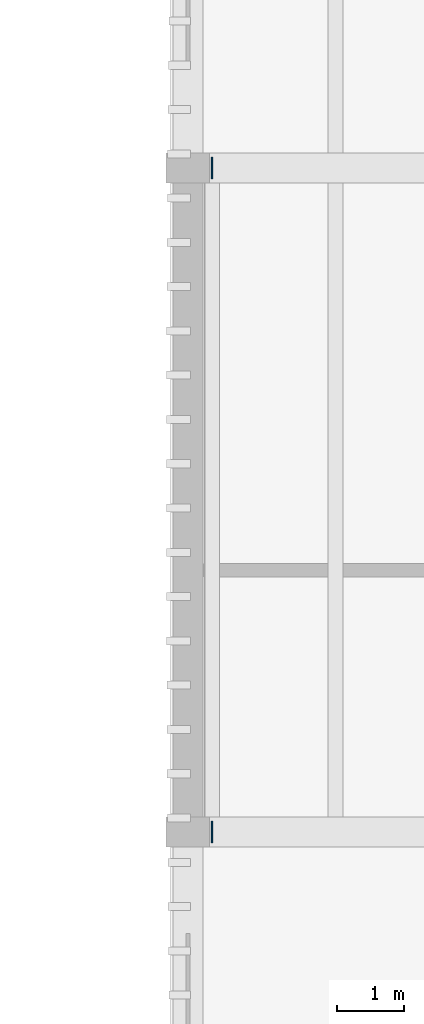
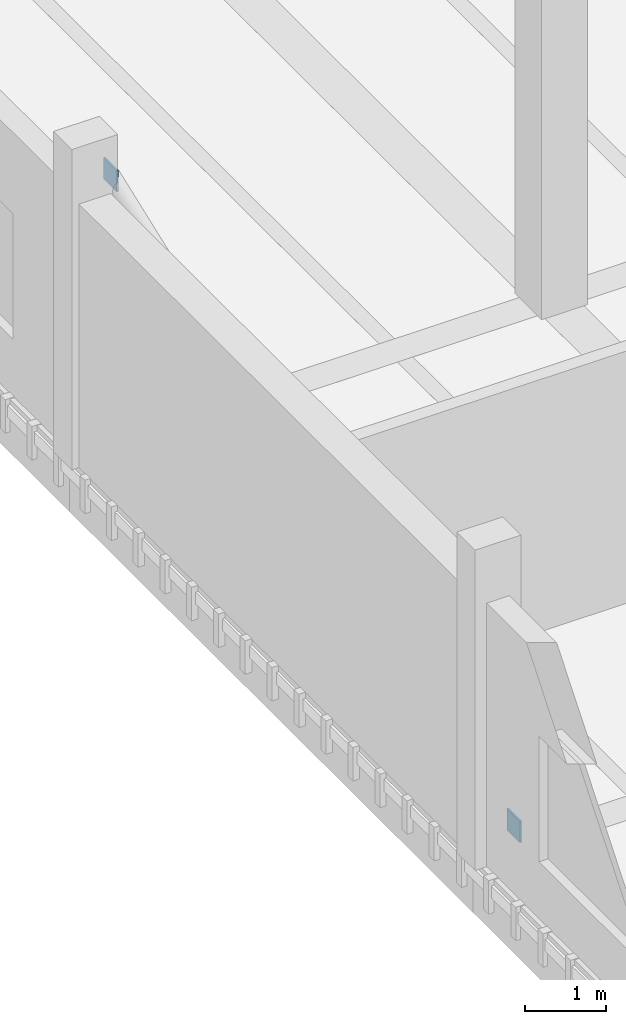
# One storey, part 19 of 37: 2 plates.
"""IFC4 building model written with IfcOpenShell, lengths in metres."""

from ifc_helpers import new_model, si_unit, direction, frame, origin, origin_2d, place, context, subcontext, project, spatial, rectangle, extrude, material, layer, layer_set, type_object, element, save


model = new_model("IFC4")

# Units and contexts
model_context = context("Model", 3, precision=1e-05, world=origin(), true_north=direction((0.0, 1.0)))
body_context = subcontext(model_context, "Body", "Model", "MODEL_VIEW")
ifc_project = project(units=[si_unit("LENGTHUNIT", "METRE"), si_unit("AREAUNIT", "SQUARE_METRE"), si_unit("VOLUMEUNIT", "CUBIC_METRE"), si_unit("PLANEANGLEUNIT", "RADIAN"), si_unit("MASSUNIT", "GRAM", prefix="KILO")], contexts=[model_context])

# Site, building, storey
site_placement = place(None, origin())
site = spatial("IfcSite", under=ifc_project, at=site_placement, CompositionType="ELEMENT")
building_placement = place(site_placement, origin())
building = spatial("IfcBuilding", under=site, at=building_placement, Name="Dornvale Research Institute", CompositionType="ELEMENT")
storey_placement = place(building_placement, frame((0.0, 0.0, 29.39990234375)))
storey = spatial("IfcBuildingStorey", under=building, at=storey_placement, Name="L06", CompositionType="ELEMENT", Elevation=29.39990234375)

# Plates
ifc_material = material(Name="Steel ASTM A572 Grade 50", Category="steel")
ifc_layer = layer(ifc_material, 0.02490234375)
ifc_layer_set = layer_set([ifc_layer], Name="Steel ASTM A572 Grade 50")
plate_type = type_object("IfcPlateType", Name="SheetPlate_EndCap_25", PredefinedType="SHEET", material=ifc_layer_set)
for number, where, z_axis, x_axis, name in (
    (1, (119.159912109375, 102.300048828125, 0.14013671875), (0.0, 0.0, 1.0), (0.0, 1.0, 0.0), "HSS brace node gusset and cap plate ND-059"),
    (2, (119.159912109375, 112.199951171875, 3.89013671875), (0.0, 0.0, 1.0), (0.0, 1.0, 0.0), "HSS brace node gusset and cap plate ND-060"),
):
    element("IfcPlate", number, at=place(storey_placement, frame(where, z_axis=z_axis, x_axis=x_axis)), inside=storey, type_object=plate_type, Name=name, PredefinedType="SHEET", context=body_context, shape_type="SweptSolid", body=[
        extrude(rectangle(XDim=0.320068359375, YDim=0.02490234375, at=origin_2d()), origin(), (0.0, 0.0, 1.0), 0.320068359375),
    ])

save(model, "model.ifc")
